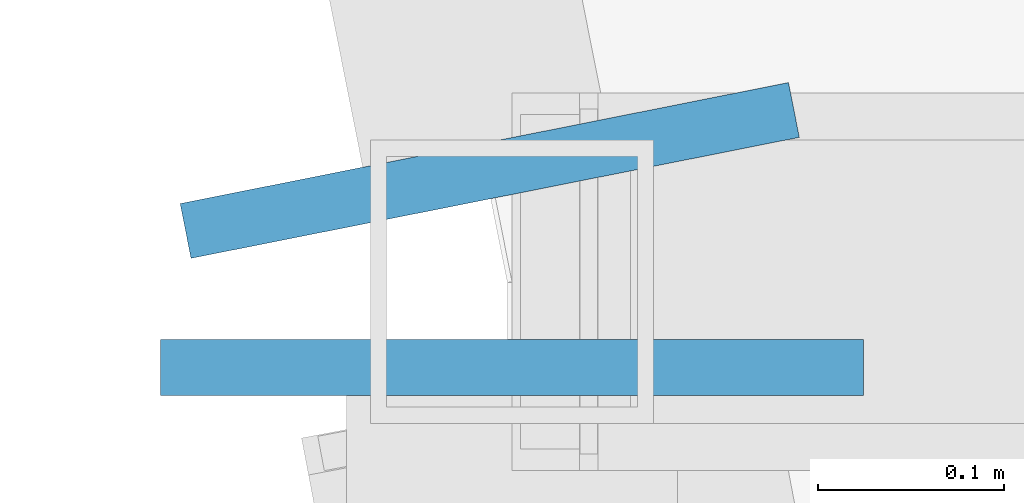
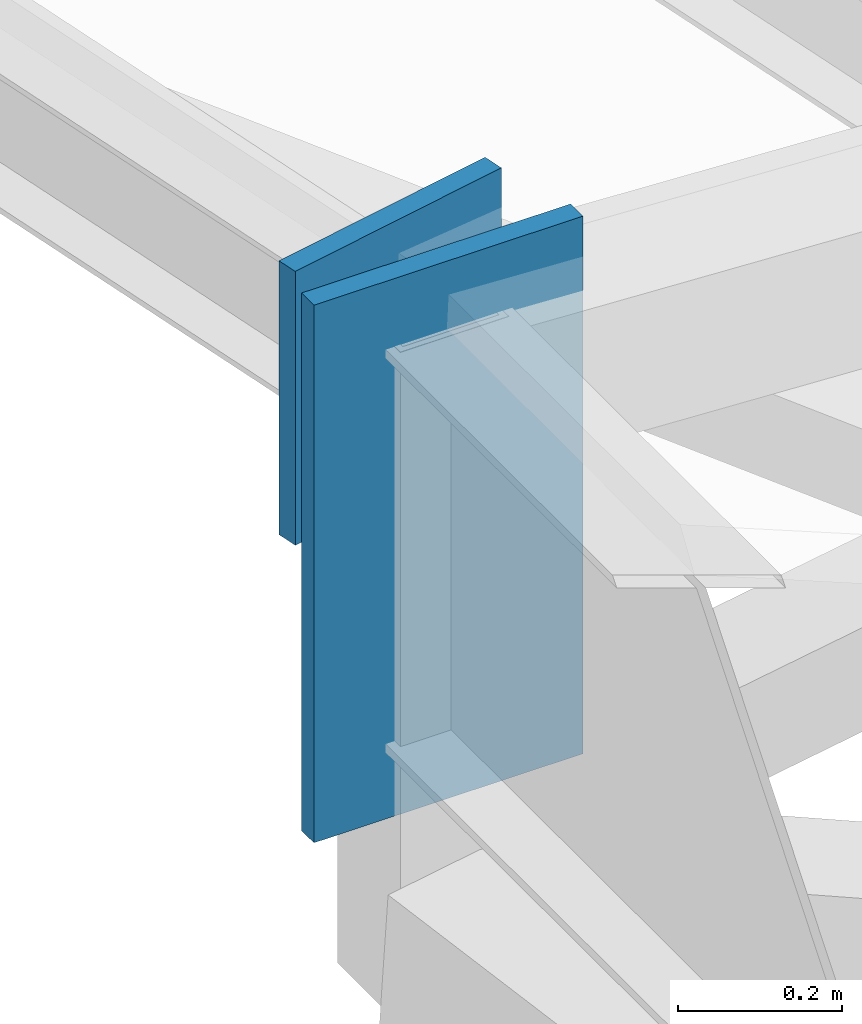
# One storey, part 251 of 278: 2 discrete accessories.
"""IFC4 building model written with IfcOpenShell, lengths in metres."""

from ifc_helpers import new_model, si_unit, direction, frame, origin, origin_2d, place, context, subcontext, project, spatial, rectangle, extrude, material, layer, layer_set, type_object, element, save


model = new_model("IFC4")

# Units and contexts
model_context = context("Model", 3, precision=1e-05, world=origin(), true_north=direction((0.0, 1.0)))
body_context = subcontext(model_context, "Body", "Model", "MODEL_VIEW")
ifc_project = project(units=[si_unit("LENGTHUNIT", "METRE"), si_unit("AREAUNIT", "SQUARE_METRE"), si_unit("VOLUMEUNIT", "CUBIC_METRE"), si_unit("PLANEANGLEUNIT", "RADIAN"), si_unit("MASSUNIT", "GRAM", prefix="KILO")], contexts=[model_context])

# Site, building, storey
site_placement = place(None, origin())
site = spatial("IfcSite", under=ifc_project, at=site_placement, CompositionType="ELEMENT")
building_placement = place(site_placement, origin())
building = spatial("IfcBuilding", under=site, at=building_placement, Name="Ogive Plaza Stadium", CompositionType="ELEMENT")
storey_placement = place(building_placement, frame((0.0, 0.0, 29.0)))
storey = spatial("IfcBuildingStorey", under=building, at=storey_placement, Name="Roof", CompositionType="ELEMENT", Elevation=29.0)

# Discrete accessories
ifc_material = material(Name="Steel ASTM A992 Grade 50", Category="steel")
ifc_layer = layer(ifc_material, 0.030029296875)
ifc_layer_set = layer_set([ifc_layer], Name="Steel ASTM A992 Grade 50")
discrete_accessory_type = type_object("IfcDiscreteAccessoryType", Name="Ring beam end plate 30", PredefinedType="ANCHORPLATE", material=ifc_layer_set)
discrete_accessory_1_placement = place(storey_placement, frame((45.5, 52.453857421875, 6.7265625), z_axis=(0.0, 0.0, 1.0), x_axis=(0.0, -1.0, 0.0)))
element("IfcDiscreteAccessory", 1, at=discrete_accessory_1_placement, inside=storey, type_object=discrete_accessory_type, Name="RING BEAM END PLATE B01 1", PredefinedType="ANCHORPLATE", context=body_context, shape_type="SweptSolid", body=[
    extrude(rectangle(XDim=0.030029296875, YDim=0.3779296875, at=origin_2d()), origin(), (0.0, 0.0, 1.0), 0.798583984375),
])
discrete_accessory_2_placement = place(storey_placement, frame((45.488037109375, 52.559814453125, 7.1181640625), z_axis=(0.0, 0.0, 1.0), x_axis=(0.195090321862, -0.980785280434, 0.0)))
element("IfcDiscreteAccessory", 2, at=discrete_accessory_2_placement, inside=storey, type_object=discrete_accessory_type, Name="RING BEAM END PLATE B40 2", PredefinedType="ANCHORPLATE", context=body_context, shape_type="SweptSolid", body=[
    extrude(rectangle(XDim=0.030029296875, YDim=0.33349609375, at=origin_2d()), origin(), (0.0, 0.0, 1.0), 0.40673828125),
])

save(model, "model.ifc")
